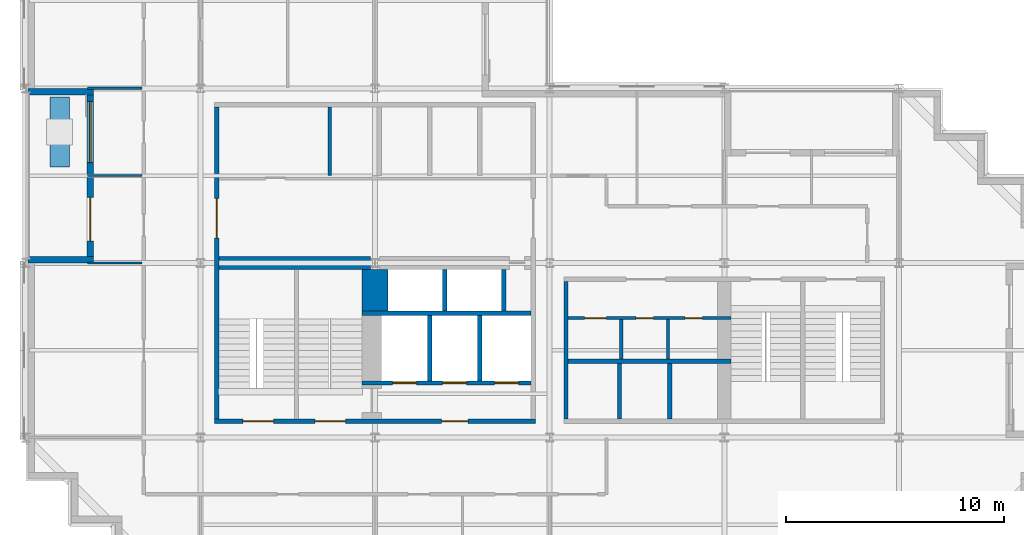
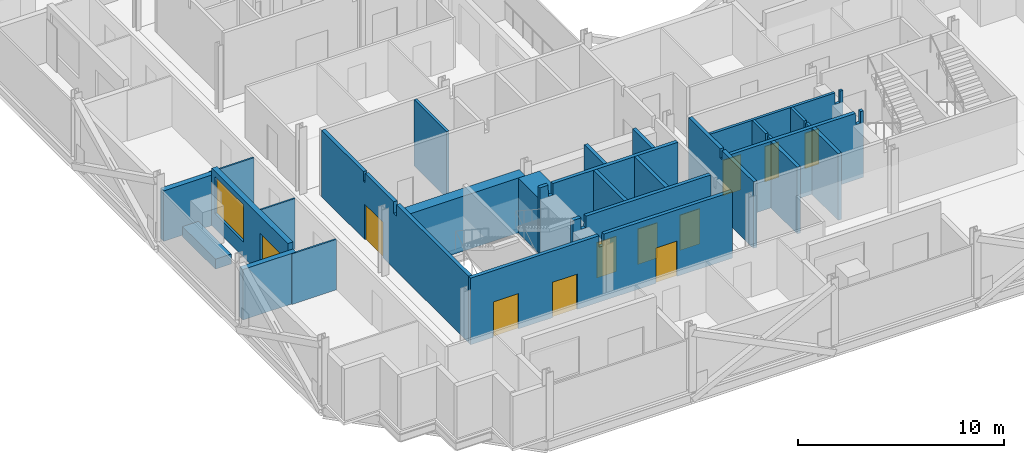
# One storey, part 5 of 12: 25 walls, 11 doors, 1 window, 12 openings.
"""IFC4 building model written with IfcOpenShell, lengths in metres."""

from ifc_helpers import new_model, si_unit, direction, frame, frame_2d, origin, place, context, subcontext, project, spatial, polyline, rectangle, outline, extrude, material, layer, layer_set, type_object, element, fill, save


model = new_model("IFC4")

# Units and contexts
model_context = context("Model", 3, precision=1e-05, world=origin(), true_north=direction((0.0, 1.0)))
body_context = subcontext(model_context, "Body", "Model", "MODEL_VIEW")
ifc_project = project(units=[si_unit("LENGTHUNIT", "METRE"), si_unit("AREAUNIT", "SQUARE_METRE"), si_unit("VOLUMEUNIT", "CUBIC_METRE"), si_unit("PLANEANGLEUNIT", "RADIAN"), si_unit("MASSUNIT", "GRAM", prefix="KILO")], contexts=[model_context])

# Site, building, storey
site_placement = place(None, origin())
site = spatial("IfcSite", under=ifc_project, at=site_placement, CompositionType="ELEMENT")
building_placement = place(site_placement, origin())
building = spatial("IfcBuilding", under=site, at=building_placement, Name="Immortelle Media Tower", CompositionType="ELEMENT")
storey_placement = place(building_placement, frame((0.0, 0.0, 178.800048828125)))
storey = spatial("IfcBuildingStorey", under=building, at=storey_placement, Name="L37", CompositionType="ELEMENT", Elevation=178.800048828125)

# Wall
ifc_material_1 = material(Name="Fire-rated gypsum board", Category="gypsum")
ifc_layer_1 = layer(ifc_material_1, 0.02490234375)
ifc_material_2 = material(Name="Steel ASTM A653 SS Gr 50 stud frame with mineral wool", Category="steel")
ifc_layer_2 = layer(ifc_material_2, 0.10009765625)
ifc_layer_3 = layer(ifc_material_1, 0.02490234375)
ifc_layer_set_1 = layer_set([ifc_layer_1, ifc_layer_2, ifc_layer_3], Name="Steel ASTM A653 SS Gr 50 stud frame with mineral wool")
wall_type_1 = type_object("IfcWallType", Name="Core partition 150", PredefinedType="PARTITIONING", material=ifc_layer_set_1)
wall_1_placement = place(storey_placement, frame((13.925048828125, 20.0, 0.0), z_axis=(0.0, 0.0, 1.0), x_axis=(0.0, 1.0, 0.0)))
element("IfcWall", 1, at=wall_1_placement, inside=storey, type_object=wall_type_1, Name="Core partition SW", PredefinedType="PARTITIONING", context=body_context, shape_type="SweptSolid", body=[
    extrude(rectangle(XDim=3.14990234375, YDim=0.14990234375, at=frame_2d((1.574951171875, 0.0))), origin(), (0.0, 0.0, 1.0), 3.949951171875),
])

# Wall, openings, doors
wall_2_placement = place(storey_placement, frame((24.85009765625, 13.47509765625, 0.0), z_axis=(0.0, 0.0, 1.0), x_axis=(1.0, 0.0, 0.0)))
wall_2 = element("IfcWall", 2, at=wall_2_placement, inside=storey, type_object=wall_type_1, Name="Core partition SE", PredefinedType="PARTITIONING", context=body_context, shape_type="SweptSolid", body=[
    extrude(outline(polyline([(0.0, 0.0), (7.449951171875, 0.0), (7.449951171875, 3.949951171875), (7.281494140625, 3.949951171875), (7.280517578125, 3.265869140625), (7.01953125, 3.265869140625), (7.0185546875, 3.949951171875), (0.0, 3.949951171875), (0.0, 0.0)])), frame((0.0, 0.074951171875, 0.0), z_axis=(0.0, -1.0, 0.0), x_axis=(1.0, 0.0, 0.0)), (0.0, 0.0, 1.0), 0.14990234375),
])
opening_1_placement = place(wall_2_placement, frame((1.75, 0.0, 0.0), z_axis=(0.0, 0.0, 1.0), x_axis=(-1.0, 0.0, 0.0)))
opening_1 = element("IfcOpeningElement", 3, at=opening_1_placement, cuts=wall_2, Name="Opening C6-K031", PredefinedType="OPENING", context=body_context, shape_type="SweptSolid", body=[
    extrude(rectangle(XDim=1.0, YDim=2.10009765625, at=frame_2d((0.5, 1.050048828125))), frame((0.0, 0.0849609375, 0.0), z_axis=(0.0, -1.0, 0.0), x_axis=(1.0, 0.0, 0.0)), (0.0, 0.0, 1.0), 0.169921875),
])
opening_2_placement = place(wall_2_placement, frame((3.900146484375, 0.0, 0.0), z_axis=(0.0, 0.0, 1.0), x_axis=(-1.0, 0.0, 0.0)))
opening_2 = element("IfcOpeningElement", 4, at=opening_2_placement, cuts=wall_2, Name="Opening C6-K032", PredefinedType="OPENING", context=body_context, shape_type="SweptSolid", body=[
    extrude(rectangle(XDim=0.800048828125, YDim=2.10009765625, at=frame_2d((0.39990234375, 1.050048828125))), frame((0.0, 0.0849609375, 0.0), z_axis=(0.0, -1.0, 0.0), x_axis=(1.0, 0.0, 0.0)), (0.0, 0.0, 1.0), 0.169921875),
])
opening_3_placement = place(wall_2_placement, frame((6.150146484375, 0.0, 0.0), z_axis=(0.0, 0.0, 1.0), x_axis=(-1.0, 0.0, 0.0)))
opening_3 = element("IfcOpeningElement", 5, at=opening_3_placement, cuts=wall_2, Name="Opening C6-K033", PredefinedType="OPENING", context=body_context, shape_type="SweptSolid", body=[
    extrude(rectangle(XDim=0.800048828125, YDim=2.10009765625, at=frame_2d((0.39990234375, 1.050048828125))), frame((0.0, 0.0849609375, 0.0), z_axis=(0.0, -1.0, 0.0), x_axis=(1.0, 0.0, 0.0)), (0.0, 0.0, 1.0), 0.169921875),
])
ifc_material_3 = material(Name="Timber", Category="wood")
door_type_1 = type_object("IfcDoorType", Name="Accessible toilet door 1000 x 2100", OperationType="NOTDEFINED", PredefinedType="NOTDEFINED", material=ifc_material_3)
door_1_placement = place(opening_1_placement, origin())
door_1 = element("IfcDoor", 6, at=door_1_placement, inside=storey, type_object=door_type_1, Name="Accessible toilet C6-K031", OperationType="SINGLE_SWING_RIGHT", OverallHeight=2.10009765625, OverallWidth=1.0, PredefinedType="NOTDEFINED", context=body_context, shape_type="SweptSolid", body=[
    extrude(rectangle(XDim=1.0, YDim=2.10009765625, at=frame_2d((0.5, 1.050048828125))), frame((0.0, 0.02490234375, 0.0), z_axis=(0.0, -1.0, 0.0), x_axis=(1.0, 0.0, 0.0)), (0.0, 0.0, 1.0), 0.050048828125),
])
fill(opening_1, door_1)
door_type_2 = type_object("IfcDoorType", Name="Toilet door 800 x 2100", OperationType="NOTDEFINED", PredefinedType="NOTDEFINED", material=ifc_material_3)
door_2_placement = place(opening_2_placement, origin())
door_2 = element("IfcDoor", 7, at=door_2_placement, inside=storey, type_object=door_type_2, Name="Toilet C6-K032", OperationType="SINGLE_SWING_RIGHT", OverallHeight=2.10009765625, OverallWidth=0.800048828125, PredefinedType="NOTDEFINED", context=body_context, shape_type="SweptSolid", body=[
    extrude(rectangle(XDim=0.800048828125, YDim=2.10009765625, at=frame_2d((0.39990234375, 1.050048828125))), frame((0.0, 0.02490234375, 0.0), z_axis=(0.0, -1.0, 0.0), x_axis=(1.0, 0.0, 0.0)), (0.0, 0.0, 1.0), 0.050048828125),
])
fill(opening_2, door_2)
door_3_placement = place(opening_3_placement, origin())
door_3 = element("IfcDoor", 8, at=door_3_placement, inside=storey, type_object=door_type_2, Name="Toilet C6-K033", OperationType="SINGLE_SWING_RIGHT", OverallHeight=2.10009765625, OverallWidth=0.800048828125, PredefinedType="NOTDEFINED", context=body_context, shape_type="SweptSolid", body=[
    extrude(rectangle(XDim=0.800048828125, YDim=2.10009765625, at=frame_2d((0.39990234375, 1.050048828125))), frame((0.0, 0.02490234375, 0.0), z_axis=(0.0, -1.0, 0.0), x_axis=(1.0, 0.0, 0.0)), (0.0, 0.0, 1.0), 0.050048828125),
])
fill(opening_3, door_3)

# Walls
for number, where, z_axis, x_axis, name in (
    (9, (27.27490234375, 11.60009765625, 0.0), (0.0, 0.0, 1.0), (0.0, 1.0, 0.0), "Core partition SE"),
    (10, (29.425048828125, 11.60009765625, 0.0), (0.0, 0.0, 1.0), (0.0, 1.0, 0.0), "Core partition SE"),
):
    element("IfcWall", number, at=place(storey_placement, frame(where, z_axis=z_axis, x_axis=x_axis)), inside=storey, type_object=wall_type_1, Name=name, PredefinedType="PARTITIONING", context=body_context, shape_type="SweptSolid", body=[
        extrude(outline(polyline([(0.0, 0.0), (1.7998046875, 0.0), (1.800048828125, 3.949951171875), (0.488525390625, 3.949951171875), (0.487548828125, 3.407958984375), (0.3125, 3.407958984375), (0.3115234375, 3.949951171875), (0.0, 3.949951171875), (0.0, 0.0)])), frame((0.0, 0.074951171875, 0.0), z_axis=(0.0, -1.0, 0.0), x_axis=(1.0, 0.0, 0.0)), (0.0, 0.0, 1.0), 0.14990234375),
    ])

# Wall, openings, doors
ifc_layer_4 = layer(ifc_material_1, 0.03759765625)
ifc_layer_5 = layer(ifc_material_2, 0.125)
ifc_layer_6 = layer(ifc_material_1, 0.03759765625)
ifc_layer_set_2 = layer_set([ifc_layer_4, ifc_layer_5, ifc_layer_6], Name="Steel ASTM A653 SS Gr 50 stud frame with mineral wool")
wall_type_2 = type_object("IfcWallType", Name="Core shaft wall 200", PredefinedType="PARTITIONING", material=ifc_layer_set_2)
wall_3_placement = place(storey_placement, frame((15.39990234375, 10.5, 0.0), z_axis=(0.0, 0.0, 1.0), x_axis=(1.0, 0.0, 0.0)))
wall_3 = element("IfcWall", 11, at=wall_3_placement, inside=storey, type_object=wall_type_2, Name="Core shaft wall SW", PredefinedType="PARTITIONING", context=body_context, shape_type="SweptSolid", body=[
    extrude(outline(polyline([(0.0, 0.0), (7.75, 0.0), (7.75, 3.949951171875), (0.7314453125, 3.949951171875), (0.73046875, 3.265869140625), (0.469482421875, 3.265869140625), (0.468505859375, 3.949951171875), (0.0, 3.949951171875), (0.0, 0.0)])), frame((0.0, 0.10009765625, 0.0), z_axis=(0.0, -1.0, 0.0), x_axis=(1.0, 0.0, 0.0)), (0.0, 0.0, 1.0), 0.199951171875),
])
opening_4_placement = place(wall_3_placement, frame((1.39990234375, 0.0, 0.0)))
opening_4 = element("IfcOpeningElement", 12, at=opening_4_placement, cuts=wall_3, Name="Opening LD", PredefinedType="OPENING", context=body_context, shape_type="SweptSolid", body=[
    extrude(rectangle(XDim=1.10009765625, YDim=2.10009765625, at=frame_2d((0.550048828125, 1.050048828125))), frame((0.0, 0.10986328125, 0.0), z_axis=(0.0, -1.0, 0.0), x_axis=(1.0, 0.0, 0.0)), (0.0, 0.0, 1.0), 0.219970703125),
])
opening_5_placement = place(wall_3_placement, frame((3.699951171875, 0.0, 0.0)))
opening_5 = element("IfcOpeningElement", 13, at=opening_5_placement, cuts=wall_3, Name="Opening LD", PredefinedType="OPENING", context=body_context, shape_type="SweptSolid", body=[
    extrude(rectangle(XDim=1.10009765625, YDim=2.10009765625, at=frame_2d((0.550048828125, 1.050048828125))), frame((0.0, 0.10986328125, 0.0), z_axis=(0.0, -1.0, 0.0), x_axis=(1.0, 0.0, 0.0)), (0.0, 0.0, 1.0), 0.219970703125),
])
opening_6_placement = place(wall_3_placement, frame((6.074951171875, 0.0, 0.0)))
opening_6 = element("IfcOpeningElement", 14, at=opening_6_placement, cuts=wall_3, Name="Opening LD", PredefinedType="OPENING", context=body_context, shape_type="SweptSolid", body=[
    extrude(rectangle(XDim=1.10009765625, YDim=2.10009765625, at=frame_2d((0.550048828125, 1.050048828125))), frame((0.0, 0.10986328125, 0.0), z_axis=(0.0, -1.0, 0.0), x_axis=(1.0, 0.0, 0.0)), (0.0, 0.0, 1.0), 0.219970703125),
])
ifc_material_4 = material(Name="Stainless steel AISI 304", Category="steel")
door_type_3 = type_object("IfcDoorType", Name="Landing door 1100 x 2100", OperationType="SLIDING_TO_LEFT", PredefinedType="NOTDEFINED", material=ifc_material_4)
door_4_placement = place(opening_4_placement, origin())
door_4 = element("IfcDoor", 15, at=door_4_placement, inside=storey, type_object=door_type_3, Name="Landing door FF1 L37", OperationType="SLIDING_TO_LEFT", OverallHeight=2.10009765625, OverallWidth=1.10009765625, PredefinedType="NOTDEFINED", context=body_context, shape_type="SweptSolid", body=[
    extrude(rectangle(XDim=1.10009765625, YDim=2.10009765625, at=frame_2d((0.550048828125, 1.050048828125))), frame((0.0, 0.02490234375, 0.0), z_axis=(0.0, -1.0, 0.0), x_axis=(1.0, 0.0, 0.0)), (0.0, 0.0, 1.0), 0.050048828125),
])
fill(opening_4, door_4)
door_5_placement = place(opening_5_placement, origin())
door_5 = element("IfcDoor", 16, at=door_5_placement, inside=storey, type_object=door_type_3, Name="Landing door FF2 L37", OperationType="SLIDING_TO_LEFT", OverallHeight=2.10009765625, OverallWidth=1.10009765625, PredefinedType="NOTDEFINED", context=body_context, shape_type="SweptSolid", body=[
    extrude(rectangle(XDim=1.10009765625, YDim=2.10009765625, at=frame_2d((0.550048828125, 1.050048828125))), frame((0.0, 0.02490234375, 0.0), z_axis=(0.0, -1.0, 0.0), x_axis=(1.0, 0.0, 0.0)), (0.0, 0.0, 1.0), 0.050048828125),
])
fill(opening_5, door_5)
door_6_placement = place(opening_6_placement, origin())
door_6 = element("IfcDoor", 17, at=door_6_placement, inside=storey, type_object=door_type_3, Name="Landing door FF3 L37", OperationType="SLIDING_TO_LEFT", OverallHeight=2.10009765625, OverallWidth=1.10009765625, PredefinedType="NOTDEFINED", context=body_context, shape_type="SweptSolid", body=[
    extrude(rectangle(XDim=1.10009765625, YDim=2.10009765625, at=frame_2d((0.550048828125, 1.050048828125))), frame((0.0, 0.02490234375, 0.0), z_axis=(0.0, -1.0, 0.0), x_axis=(1.0, 0.0, 0.0)), (0.0, 0.0, 1.0), 0.050048828125),
])
fill(opening_6, door_6)

# Walls
wall_4_placement = place(storey_placement, frame((15.39990234375, 13.699951171875, 0.0), z_axis=(0.0, 0.0, 1.0), x_axis=(1.0, 0.0, 0.0)))
element("IfcWall", 18, at=wall_4_placement, inside=storey, type_object=wall_type_2, Name="Core shaft wall SW", PredefinedType="PARTITIONING", context=body_context, shape_type="SweptSolid", body=[
    extrude(outline(polyline([(0.0, 0.0), (7.75, 0.0), (7.75, 3.949951171875), (0.7314453125, 3.949951171875), (0.73046875, 3.265869140625), (0.469482421875, 3.265869140625), (0.468505859375, 3.949951171875), (0.0, 3.949951171875), (0.0, 0.0)])), frame((0.0, 0.10009765625, 0.0), z_axis=(0.0, -1.0, 0.0), x_axis=(1.0, 0.0, 0.0)), (0.0, 0.0, 1.0), 0.199951171875),
])
wall_5_placement = place(storey_placement, frame((18.5, 10.60009765625, 0.0), z_axis=(0.0, 0.0, 1.0), x_axis=(0.0, 1.0, 0.0)))
element("IfcWall", 19, at=wall_5_placement, inside=storey, type_object=wall_type_2, Name="Core shaft wall SW", PredefinedType="PARTITIONING", context=body_context, shape_type="SweptSolid", body=[
    extrude(rectangle(XDim=3.0, YDim=0.199951171875, at=frame_2d((1.5, 0.0))), origin(), (0.0, 0.0, 1.0), 3.949951171875),
])
wall_6_placement = place(storey_placement, frame((19.199951171875, 13.800048828125, 0.0), z_axis=(0.0, 0.0, 1.0), x_axis=(0.0, 1.0, 0.0)))
element("IfcWall", 20, at=wall_6_placement, inside=storey, type_object=wall_type_2, Name="Core shaft wall SW", PredefinedType="PARTITIONING", context=body_context, shape_type="SweptSolid", body=[
    extrude(rectangle(XDim=1.89990234375, YDim=0.199951171875, at=frame_2d((0.949951171875, 0.0))), origin(), (0.0, 0.0, 1.0), 3.949951171875),
])
wall_7_placement = place(storey_placement, frame((20.800048828125, 10.60009765625, 0.0), z_axis=(0.0, 0.0, 1.0), x_axis=(0.0, 1.0, 0.0)))
element("IfcWall", 21, at=wall_7_placement, inside=storey, type_object=wall_type_2, Name="Core shaft wall SW", PredefinedType="PARTITIONING", context=body_context, shape_type="SweptSolid", body=[
    extrude(rectangle(XDim=3.0, YDim=0.199951171875, at=frame_2d((1.5, 0.0))), origin(), (0.0, 0.0, 1.0), 3.949951171875),
])
wall_8_placement = place(storey_placement, frame((21.89990234375, 13.800048828125, 0.0), z_axis=(0.0, 0.0, 1.0), x_axis=(0.0, 1.0, 0.0)))
element("IfcWall", 22, at=wall_8_placement, inside=storey, type_object=wall_type_2, Name="Core shaft wall SW", PredefinedType="PARTITIONING", context=body_context, shape_type="SweptSolid", body=[
    extrude(rectangle(XDim=1.89990234375, YDim=0.199951171875, at=frame_2d((0.949951171875, 0.0))), origin(), (0.0, 0.0, 1.0), 3.949951171875),
])
wall_9_placement = place(storey_placement, frame((24.75, 8.85009765625, 0.0), z_axis=(0.0, 0.0, 1.0), x_axis=(0.0, 1.0, 0.0)))
element("IfcWall", 23, at=wall_9_placement, inside=storey, type_object=wall_type_2, Name="Core shaft wall SE", PredefinedType="PARTITIONING", context=body_context, shape_type="SweptSolid", body=[
    extrude(outline(polyline([(0.0, 0.0), (6.2998046875, 0.0), (6.300048828125, 3.949951171875), (3.238525390625, 3.949951171875), (3.237548828125, 3.407958984375), (3.0625, 3.407958984375), (3.0615234375, 3.949951171875), (0.0, 3.949951171875), (0.0, 0.0)])), frame((0.0, 0.10009765625, 0.0), z_axis=(0.0, -1.0, 0.0), x_axis=(1.0, 0.0, 0.0)), (0.0, 0.0, 1.0), 0.199951171875),
])
wall_10_placement = place(storey_placement, frame((24.85009765625, 11.5, 0.0), z_axis=(0.0, 0.0, 1.0), x_axis=(1.0, 0.0, 0.0)))
element("IfcWall", 24, at=wall_10_placement, inside=storey, type_object=wall_type_2, Name="Core shaft wall SE", PredefinedType="PARTITIONING", context=body_context, shape_type="SweptSolid", body=[
    extrude(outline(polyline([(0.0, 0.0), (7.449951171875, 0.0), (7.449951171875, 3.949951171875), (7.281494140625, 3.949951171875), (7.280517578125, 3.265869140625), (7.01953125, 3.265869140625), (7.0185546875, 3.949951171875), (0.0, 3.949951171875), (0.0, 0.0)])), frame((0.0, 0.10009765625, 0.0), z_axis=(0.0, -1.0, 0.0), x_axis=(1.0, 0.0, 0.0)), (0.0, 0.0, 1.0), 0.199951171875),
])
for number, where, z_axis, x_axis, name in (
    (25, (27.199951171875, 8.85009765625, 0.0), (0.0, 0.0, 1.0), (0.0, 1.0, 0.0), "Core shaft wall SE"),
    (26, (29.5, 8.85009765625, 0.0), (0.0, 0.0, 1.0), (0.0, 1.0, 0.0), "Core shaft wall SE"),
):
    element("IfcWall", number, at=place(storey_placement, frame(where, z_axis=z_axis, x_axis=x_axis)), inside=storey, type_object=wall_type_2, Name=name, PredefinedType="PARTITIONING", context=body_context, shape_type="SweptSolid", body=[
        extrude(rectangle(XDim=2.5498046875, YDim=0.199951171875, at=frame_2d((1.27490234375, 0.0))), origin(), (0.0, 0.0, 1.0), 3.949951171875),
    ])

# Wall, openings, door, window
ifc_material_5 = material(Name="Pale aluminium cladding panel", Category="aluminium")
ifc_layer_7 = layer(ifc_material_5, 0.030029296875)
ifc_layer_8 = layer(ifc_material_2, 0.257568359375)
ifc_material_6 = material(Name="Moisture-resistant gypsum board", Category="gypsum")
ifc_layer_9 = layer(ifc_material_6, 0.012451171875)
ifc_layer_set_3 = layer_set([ifc_layer_7, ifc_layer_8, ifc_layer_9], Name="Steel ASTM A653 SS Gr 50 stud frame with mineral wool")
wall_type_3 = type_object("IfcWallType", Name="Facade wall 300", PredefinedType="SOLIDWALL", material=ifc_layer_set_3)
wall_11_placement = place(storey_placement, frame((2.949951171875, 23.699951171875, 0.0), z_axis=(0.0, 0.0, 1.0), x_axis=(0.0, -1.0, 0.0)))
wall_11 = element("IfcWall", 27, at=wall_11_placement, inside=storey, type_object=wall_type_3, Name="Loggia wall L37 W35", PredefinedType="SOLIDWALL", context=body_context, shape_type="SweptSolid", body=[
    extrude(rectangle(XDim=7.39990234375, YDim=0.300048828125, at=frame_2d((3.699951171875, 0.0))), origin(), (0.0, 0.0, 1.0), 3.412841796875),
])
opening_7_placement = place(wall_11_placement, frame((0.300048828125, 0.0, 0.89990234375)))
opening_7 = element("IfcOpeningElement", 28, at=opening_7_placement, cuts=wall_11, Name="Opening W1", PredefinedType="OPENING", context=body_context, shape_type="SweptSolid", body=[
    extrude(rectangle(XDim=2.800048828125, YDim=2.199951171875, at=frame_2d((1.39990234375, 1.10009765625))), frame((0.0, 0.159912109375, 0.0), z_axis=(0.0, -1.0, 0.0), x_axis=(1.0, 0.0, 0.0)), (0.0, 0.0, 1.0), 0.320068359375),
])
opening_8_placement = place(wall_11_placement, frame((4.699951171875, 0.0, 0.0)))
opening_8 = element("IfcOpeningElement", 29, at=opening_8_placement, cuts=wall_11, Name="Opening C6-E008", PredefinedType="OPENING", context=body_context, shape_type="SweptSolid", body=[
    extrude(rectangle(XDim=2.0, YDim=2.39990234375, at=frame_2d((1.0, 1.199951171875))), frame((0.0, 0.159912109375, 0.0), z_axis=(0.0, -1.0, 0.0), x_axis=(1.0, 0.0, 0.0)), (0.0, 0.0, 1.0), 0.320068359375),
])
ifc_material_7 = material(Name="Aluminium frame, glazed leaves", Category="aluminium")
door_type_4 = type_object("IfcDoorType", Name="Loggia door 2000 x 2400", OperationType="DOUBLE_DOOR_SINGLE_SWING", PredefinedType="DOOR", material=ifc_material_7)
door_7_placement = place(opening_8_placement, origin())
door_7 = element("IfcDoor", 30, at=door_7_placement, inside=storey, type_object=door_type_4, Name="Door C6-E008", OperationType="DOUBLE_DOOR_SINGLE_SWING", OverallHeight=2.39990234375, OverallWidth=2.0, PredefinedType="DOOR", context=body_context, shape_type="SweptSolid", body=[
    extrude(rectangle(XDim=2.0, YDim=2.39990234375, at=frame_2d((1.0, 1.199951171875))), frame((0.0, 0.02490234375, 0.0), z_axis=(0.0, -1.0, 0.0), x_axis=(1.0, 0.0, 0.0)), (0.0, 0.0, 1.0), 0.050048828125),
])
fill(opening_8, door_7)
ifc_material_8 = material(Name="Aluminium frame", Category="aluminium")
window_type = type_object("IfcWindowType", Name="Window 2800 x 2200", PartitioningType="SINGLE_PANEL", PredefinedType="WINDOW", material=ifc_material_8)
window_placement = place(opening_7_placement, origin())
window = element("IfcWindow", 31, at=window_placement, inside=storey, type_object=window_type, Name="Window L37 L37-R35-B2", OverallHeight=2.199951171875, OverallWidth=2.800048828125, PartitioningType="SINGLE_PANEL", PredefinedType="WINDOW", context=body_context, shape_type="SweptSolid", body=[
    extrude(rectangle(XDim=2.800048828125, YDim=2.199951171875, at=frame_2d((1.39990234375, 1.10009765625))), frame((0.0, 0.030029296875, 0.0), z_axis=(0.0, -1.0, 0.0), x_axis=(1.0, 0.0, 0.0)), (0.0, 0.0, 1.0), 0.06005859375),
])
fill(opening_7, window)

# Walls
for number, where, z_axis, x_axis, name in (
    (32, (0.10009765625, 23.85009765625, 0.0), (0.0, 0.0, 1.0), (1.0, 0.0, 0.0), "Loggia cheek wall L37 W"),
    (33, (0.10009765625, 16.14990234375, 0.0), (0.0, 0.0, 1.0), (1.0, 0.0, 0.0), "Loggia cheek wall L37 W"),
):
    element("IfcWall", number, at=place(storey_placement, frame(where, z_axis=z_axis, x_axis=x_axis)), inside=storey, type_object=wall_type_3, Name=name, PredefinedType="SOLIDWALL", context=body_context, shape_type="SweptSolid", body=[
        extrude(rectangle(XDim=3.0, YDim=0.300048828125, at=frame_2d((1.5, 0.0))), origin(), (0.0, 0.0, 1.0), 2.9990234375),
    ])
ifc_material_9 = material(Name="Gypsum board", Category="gypsum")
ifc_layer_10 = layer(ifc_material_9, 0.012451171875)
ifc_layer_11 = layer(ifc_material_2, 0.074951171875)
ifc_layer_12 = layer(ifc_material_9, 0.012451171875)
ifc_layer_set_4 = layer_set([ifc_layer_10, ifc_layer_11, ifc_layer_12], Name="Steel ASTM A653 SS Gr 50 stud frame with mineral wool")
wall_type_4 = type_object("IfcWallType", Name="Partition 100", PredefinedType="PARTITIONING", material=ifc_layer_set_4)
for number, where, z_axis, x_axis, name in (
    (34, (2.830078125, 16.0, 0.0), (0.0, 0.0, 1.0), (1.0, 0.0, 0.0), "Partition L37-009"),
    (35, (2.830078125, 20.0, 0.0), (0.0, 0.0, 1.0), (1.0, 0.0, 0.0), "Partition L37-017"),
    (36, (2.830078125, 24.0, 0.0), (0.0, 0.0, 1.0), (1.0, 0.0, 0.0), "Partition L37-019"),
):
    element("IfcWall", number, at=place(storey_placement, frame(where, z_axis=z_axis, x_axis=x_axis)), inside=storey, type_object=wall_type_4, Name=name, PredefinedType="PARTITIONING", context=body_context, shape_type="SweptSolid", body=[
        extrude(rectangle(XDim=2.494873046875, YDim=0.10009765625, at=frame_2d((1.24755859375, 0.0))), origin(), (0.0, 0.0, 1.0), 2.993896484375),
    ])
ifc_layer_13 = layer(ifc_material_5, 0.0029296875)
ifc_material_10 = material(Name="Steel ASTM A572 Gr 50 planter shell", Category="steel")
ifc_layer_14 = layer(ifc_material_10, 0.011962890625)
ifc_material_11 = material(Name="Planting substrate", Category="soil")
ifc_layer_15 = layer(ifc_material_11, 0.873046875)
ifc_layer_16 = layer(ifc_material_10, 0.011962890625)
ifc_layer_set_5 = layer_set([ifc_layer_13, ifc_layer_14, ifc_layer_15, ifc_layer_16], Name="Steel ASTM A572 Gr 50 planter shell")
wall_type_5 = type_object("IfcWallType", Name="Planter wall 900", PredefinedType="SOLIDWALL", material=ifc_layer_set_5)
wall_12_placement = place(storey_placement, frame((1.550048828125, 23.60009765625, 0.0), z_axis=(0.0, 0.0, 1.0), x_axis=(0.0, -1.0, 0.0)))
element("IfcWall", 37, at=wall_12_placement, inside=storey, type_object=wall_type_5, Name="Planter L37 W2", PredefinedType="SOLIDWALL", context=body_context, shape_type="SweptSolid", body=[
    extrude(rectangle(XDim=3.2001953125, YDim=0.89990234375, at=frame_2d((1.60009765625, 0.0))), origin(), (0.0, 0.0, 1.0), 0.599853515625),
])
ifc_material_12 = material(Name="Concrete C60", Category="concrete")
ifc_layer_17 = layer(ifc_material_12, 1.199951171875)
ifc_layer_set_6 = layer_set([ifc_layer_17], Name="Concrete C60")
wall_type_6 = type_object("IfcWallType", Name="Stair shaft wall 1200", PredefinedType="PARTITIONING", material=ifc_layer_set_6)
wall_13_placement = place(storey_placement, frame((16.0, 13.800048828125, 0.0), z_axis=(0.0, 0.0, 1.0), x_axis=(0.0, 1.0, 0.0)))
element("IfcWall", 38, at=wall_13_placement, inside=storey, type_object=wall_type_6, Name="Stair shaft wall SW", PredefinedType="PARTITIONING", context=body_context, shape_type="SweptSolid", body=[
    extrude(rectangle(XDim=1.89990234375, YDim=1.199951171875, at=frame_2d((0.949951171875, 0.0))), origin(), (0.0, 0.0, 1.0), 3.265869140625),
])

# Wall, openings, doors
ifc_layer_18 = layer(ifc_material_12, 0.199951171875)
ifc_layer_set_7 = layer_set([ifc_layer_18], Name="Concrete C60")
wall_type_7 = type_object("IfcWallType", Name="Stair shaft wall 200", PredefinedType="PARTITIONING", material=ifc_layer_set_7)
wall_14_placement = place(storey_placement, frame((8.64990234375, 8.75, 0.0), z_axis=(0.0, 0.0, 1.0), x_axis=(1.0, 0.0, 0.0)))
wall_14 = element("IfcWall", 39, at=wall_14_placement, inside=storey, type_object=wall_type_7, Name="Stair shaft wall SW", PredefinedType="PARTITIONING", context=body_context, shape_type="SweptSolid", body=[
    extrude(outline(polyline([(0.0, 0.0), (14.7001953125, 0.0), (14.699951171875, 3.949951171875), (7.4814453125, 3.949951171875), (7.48046875, 3.265869140625), (7.219482421875, 3.265869140625), (7.218505859375, 3.949951171875), (0.0, 3.949951171875), (0.0, 0.0)])), frame((0.0, 0.10009765625, 0.0), z_axis=(0.0, -1.0, 0.0), x_axis=(1.0, 0.0, 0.0)), (0.0, 0.0, 1.0), 0.199951171875),
])
opening_9_placement = place(wall_14_placement, frame((1.300048828125, 0.0, 0.0)))
opening_9 = element("IfcOpeningElement", 40, at=opening_9_placement, cuts=wall_14, Name="Opening C6-K002", PredefinedType="OPENING", context=body_context, shape_type="SweptSolid", body=[
    extrude(rectangle(XDim=1.39990234375, YDim=2.10009765625, at=frame_2d((0.699951171875, 1.050048828125))), frame((0.0, 0.10986328125, 0.0), z_axis=(0.0, -1.0, 0.0), x_axis=(1.0, 0.0, 0.0)), (0.0, 0.0, 1.0), 0.219970703125),
])
opening_10_placement = place(wall_14_placement, frame((4.60009765625, 0.0, 0.0)))
opening_10 = element("IfcOpeningElement", 41, at=opening_10_placement, cuts=wall_14, Name="Opening C6-K004", PredefinedType="OPENING", context=body_context, shape_type="SweptSolid", body=[
    extrude(rectangle(XDim=1.39990234375, YDim=2.10009765625, at=frame_2d((0.699951171875, 1.050048828125))), frame((0.0, 0.10986328125, 0.0), z_axis=(0.0, -1.0, 0.0), x_axis=(1.0, 0.0, 0.0)), (0.0, 0.0, 1.0), 0.219970703125),
])
opening_11_placement = place(wall_14_placement, frame((10.39990234375, 0.0, 0.0)))
opening_11 = element("IfcOpeningElement", 42, at=opening_11_placement, cuts=wall_14, Name="Opening C6-K009", PredefinedType="OPENING", context=body_context, shape_type="SweptSolid", body=[
    extrude(rectangle(XDim=1.199951171875, YDim=2.10009765625, at=frame_2d((0.60009765625, 1.050048828125))), frame((0.0, 0.10986328125, 0.0), z_axis=(0.0, -1.0, 0.0), x_axis=(1.0, 0.0, 0.0)), (0.0, 0.0, 1.0), 0.219970703125),
])
ifc_material_13 = material(Name="Galvanised steel door leaf and frame ASTM A653", Category="steel")
door_type_5 = type_object("IfcDoorType", Name="Fire-fighting lobby door 1200 x 2100", OperationType="NOTDEFINED", PredefinedType="NOTDEFINED", material=ifc_material_13)
door_8_placement = place(opening_11_placement, origin())
door_8 = element("IfcDoor", 43, at=door_8_placement, inside=storey, type_object=door_type_5, Name="Fire-fighting lobby C6-K009", OperationType="SINGLE_SWING_RIGHT", OverallHeight=2.10009765625, OverallWidth=1.199951171875, PredefinedType="NOTDEFINED", context=body_context, shape_type="SweptSolid", body=[
    extrude(rectangle(XDim=1.199951171875, YDim=2.10009765625, at=frame_2d((0.60009765625, 1.050048828125))), frame((0.0, 0.02490234375, 0.0), z_axis=(0.0, -1.0, 0.0), x_axis=(1.0, 0.0, 0.0)), (0.0, 0.0, 1.0), 0.050048828125),
])
fill(opening_11, door_8)
door_type_6 = type_object("IfcDoorType", Name="Stair door 1400 x 2100", OperationType="DOUBLE_DOOR_SINGLE_SWING", PredefinedType="NOTDEFINED", material=ifc_material_13)
door_9_placement = place(opening_9_placement, origin())
door_9 = element("IfcDoor", 44, at=door_9_placement, inside=storey, type_object=door_type_6, Name="Stair C6-K002", OperationType="DOUBLE_DOOR_SINGLE_SWING", OverallHeight=2.10009765625, OverallWidth=1.39990234375, PredefinedType="NOTDEFINED", context=body_context, shape_type="SweptSolid", body=[
    extrude(rectangle(XDim=1.39990234375, YDim=2.10009765625, at=frame_2d((0.699951171875, 1.050048828125))), frame((0.0, 0.02490234375, 0.0), z_axis=(0.0, -1.0, 0.0), x_axis=(1.0, 0.0, 0.0)), (0.0, 0.0, 1.0), 0.050048828125),
])
fill(opening_9, door_9)
door_10_placement = place(opening_10_placement, origin())
door_10 = element("IfcDoor", 45, at=door_10_placement, inside=storey, type_object=door_type_6, Name="Stair C6-K004", OperationType="DOUBLE_DOOR_SINGLE_SWING", OverallHeight=2.10009765625, OverallWidth=1.39990234375, PredefinedType="NOTDEFINED", context=body_context, shape_type="SweptSolid", body=[
    extrude(rectangle(XDim=1.39990234375, YDim=2.10009765625, at=frame_2d((0.699951171875, 1.050048828125))), frame((0.0, 0.02490234375, 0.0), z_axis=(0.0, -1.0, 0.0), x_axis=(1.0, 0.0, 0.0)), (0.0, 0.0, 1.0), 0.050048828125),
])
fill(opening_10, door_10)

# Wall, opening, door
wall_15_placement = place(storey_placement, frame((8.75, 8.85009765625, 0.0), z_axis=(0.0, 0.0, 1.0), x_axis=(0.0, 1.0, 0.0)))
wall_15 = element("IfcWall", 46, at=wall_15_placement, inside=storey, type_object=wall_type_7, Name="Stair shaft wall SW", PredefinedType="PARTITIONING", context=body_context, shape_type="SweptSolid", body=[
    extrude(outline(polyline([(0.0, 0.0), (14.2998046875, 0.0), (14.300048828125, 3.949951171875), (10.238525390625, 3.949951171875), (10.237548828125, 3.407958984375), (10.0625, 3.407958984375), (10.0615234375, 3.949951171875), (7.281494140625, 3.949951171875), (7.280517578125, 3.265869140625), (7.01953125, 3.265869140625), (7.0185546875, 3.949951171875), (0.0, 3.949951171875), (0.0, 0.0)])), frame((0.0, 0.10009765625, 0.0), z_axis=(0.0, -1.0, 0.0), x_axis=(1.0, 0.0, 0.0)), (0.0, 0.0, 1.0), 0.199951171875),
])
opening_12_placement = place(wall_15_placement, frame((8.300048828125, 0.0, 0.0)))
opening_12 = element("IfcOpeningElement", 47, at=opening_12_placement, cuts=wall_15, Name="Opening C6-K001", PredefinedType="OPENING", context=body_context, shape_type="SweptSolid", body=[
    extrude(rectangle(XDim=1.800048828125, YDim=2.10009765625, at=frame_2d((0.89990234375, 1.050048828125))), frame((0.0, 0.10986328125, 0.0), z_axis=(0.0, -1.0, 0.0), x_axis=(1.0, 0.0, 0.0)), (0.0, 0.0, 1.0), 0.219970703125),
])
door_type_7 = type_object("IfcDoorType", Name="Lift lobby door 1800 x 2100", OperationType="DOUBLE_DOOR_SINGLE_SWING", PredefinedType="NOTDEFINED", material=ifc_material_13)
door_11_placement = place(opening_12_placement, origin())
door_11 = element("IfcDoor", 48, at=door_11_placement, inside=storey, type_object=door_type_7, Name="Lift lobby C6-K001", OperationType="DOUBLE_DOOR_SINGLE_SWING", OverallHeight=2.10009765625, OverallWidth=1.800048828125, PredefinedType="NOTDEFINED", context=body_context, shape_type="SweptSolid", body=[
    extrude(rectangle(XDim=1.800048828125, YDim=2.10009765625, at=frame_2d((0.89990234375, 1.050048828125))), frame((0.0, 0.02490234375, 0.0), z_axis=(0.0, -1.0, 0.0), x_axis=(1.0, 0.0, 0.0)), (0.0, 0.0, 1.0), 0.050048828125),
])
fill(opening_12, door_11)

# Wall
ifc_layer_19 = layer(ifc_material_12, 0.60009765625)
ifc_layer_set_8 = layer_set([ifc_layer_19], Name="Concrete C60")
wall_type_8 = type_object("IfcWallType", Name="Stair shaft wall 600", PredefinedType="PARTITIONING", material=ifc_layer_set_8)
wall_16_placement = place(storey_placement, frame((8.85009765625, 16.0, 0.0), z_axis=(0.0, 0.0, 1.0), x_axis=(1.0, 0.0, 0.0)))
element("IfcWall", 49, at=wall_16_placement, inside=storey, type_object=wall_type_8, Name="Stair shaft wall SW", PredefinedType="PARTITIONING", context=body_context, shape_type="SweptSolid", body=[
    extrude(rectangle(XDim=6.9404296875, YDim=0.60009765625, at=frame_2d((3.47021484375, 0.0))), origin(), (0.0, 0.0, 1.0), 3.265869140625),
])

save(model, "model.ifc")
